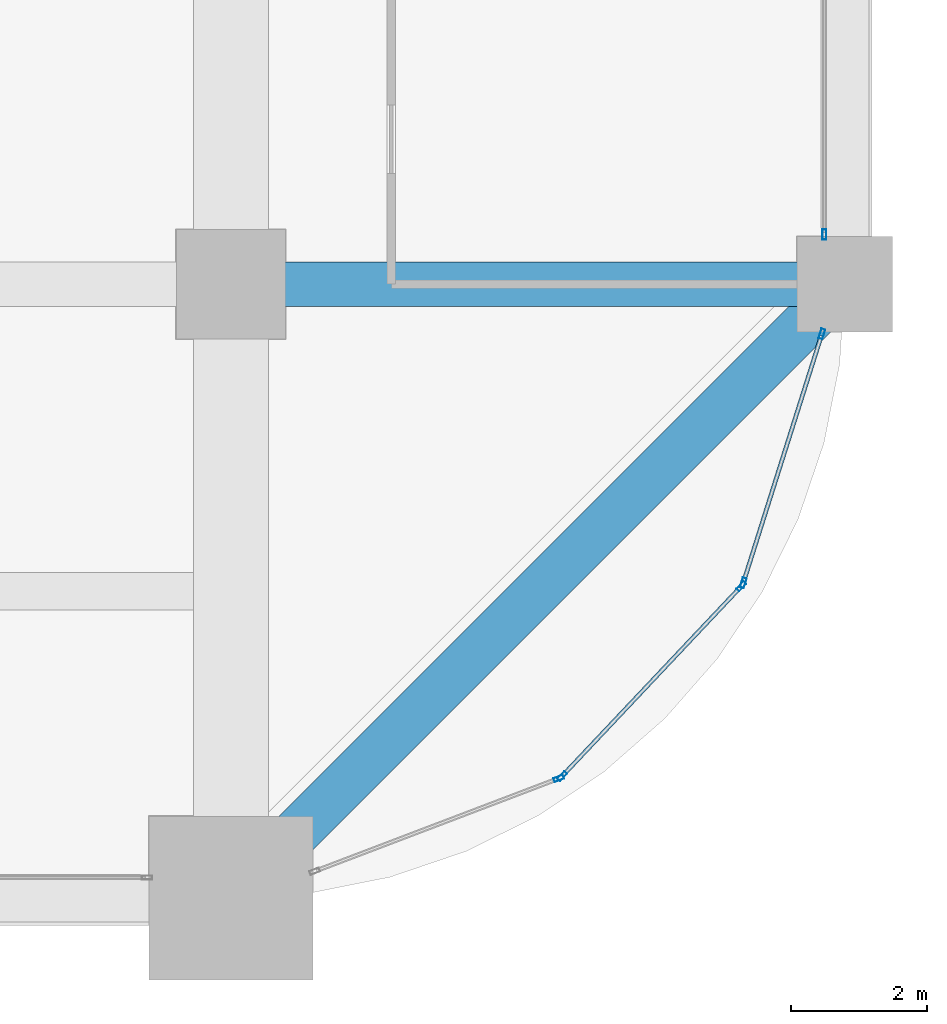
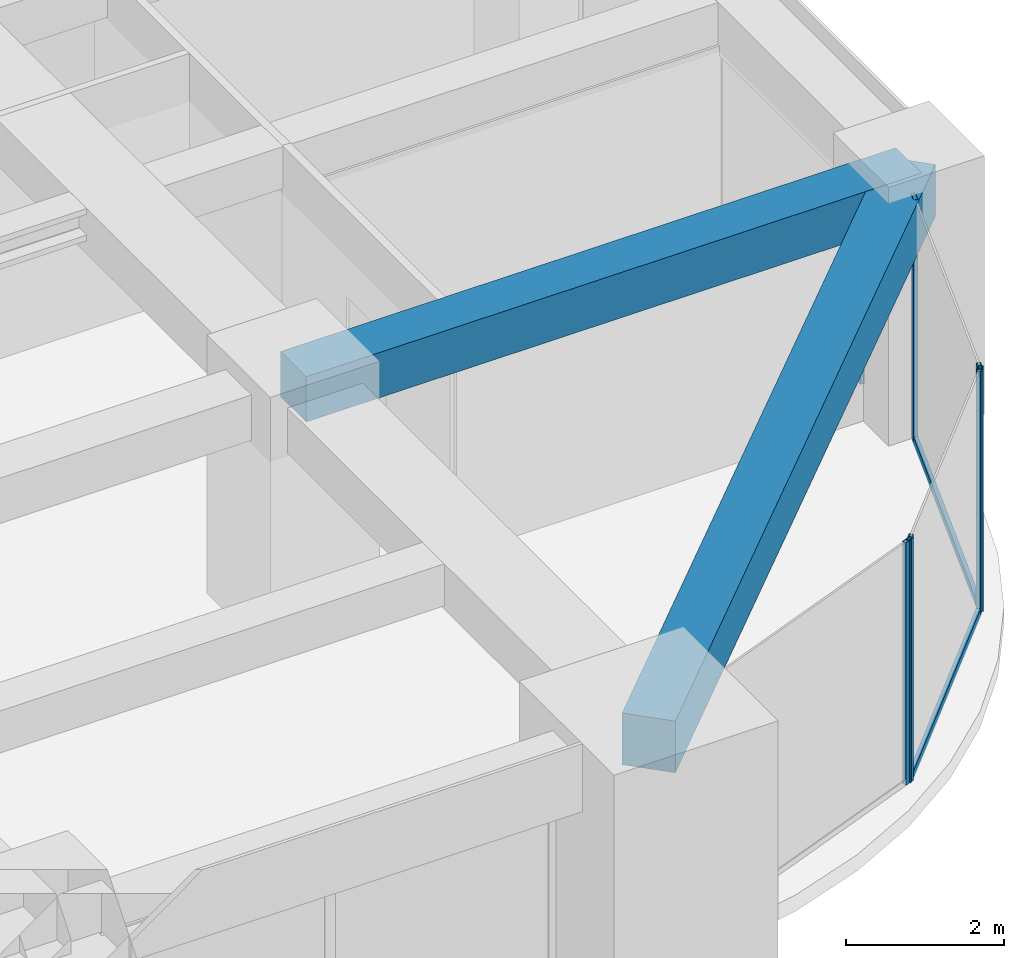
# One storey, part 16 of 32: 8 members, 2 beams, 4 elements without a shape of their own.
"""IFC4 building model written with IfcOpenShell, lengths in metres."""

from ifc_helpers import new_model, si_unit, direction, frame, origin, origin_2d, place, context, subcontext, project, spatial, rectangle, hollow_rectangle, extrude, material, material_profile, profile_set, type_object, element, aggregate, save


model = new_model("IFC4")

# Units and contexts
model_context = context("Model", 3, precision=1e-05, world=origin(), true_north=direction((0.0, 1.0)))
body_context = subcontext(model_context, "Body", "Model", "MODEL_VIEW")
ifc_project = project(units=[si_unit("LENGTHUNIT", "METRE"), si_unit("AREAUNIT", "SQUARE_METRE"), si_unit("VOLUMEUNIT", "CUBIC_METRE"), si_unit("PLANEANGLEUNIT", "RADIAN"), si_unit("MASSUNIT", "GRAM", prefix="KILO")], contexts=[model_context])

# Site, building, storey
site_placement = place(None, origin())
site = spatial("IfcSite", under=ifc_project, at=site_placement, CompositionType="ELEMENT")
building_placement = place(site_placement, origin())
building = spatial("IfcBuilding", under=site, at=building_placement, Name="Zorevar Civic Tower", CompositionType="ELEMENT")
storey_placement = place(building_placement, frame((0.0, 0.0, 186.199951171875)))
storey = spatial("IfcBuildingStorey", under=building, at=storey_placement, Name="L45", CompositionType="ELEMENT", Elevation=186.199951171875)

# Beam
ifc_material_1 = material(Name="Concrete C50/60", Category="concrete")
ifc_material_profile_1 = material_profile(ifc_material_1, rectangle(XDim=0.64990234375, YDim=0.699951171875, at=origin_2d()), Name="RC 650x700")
ifc_profile_set_1 = profile_set([ifc_material_profile_1], Name="Concrete C50/60")
beam_type_1 = type_object("IfcBeamType", Name="Beam RC 650x700", PredefinedType="BEAM", material=ifc_profile_set_1)
beam_1_placement = place(storey_placement, frame((45.0, 9.0, 3.400146484375), z_axis=(1.0, 0.0, 0.0), x_axis=(0.0, 1.0, 0.0)))
element("IfcBeam", 1, at=beam_1_placement, inside=storey, type_object=beam_type_1, Name="Girder L46", PredefinedType="BEAM", context=body_context, shape_type="SweptSolid", body=[
    extrude(rectangle(XDim=0.64990234375, YDim=0.699951171875, at=origin_2d()), origin(), (0.0, 0.0, 1.0), 9.0),
])

# Curtain wall, member
ifc_material_2 = material(Name="Dark grey solar-control glass in black aluminium frame", Category="aluminium")
curtain_wall_type = type_object("IfcCurtainWallType", Name="Curtain wall CW4 high zone", PredefinedType="NOTDEFINED", material=ifc_material_2)
curtain_wall_1_placement = place(storey_placement, origin())
curtain_wall_1 = element("IfcCurtainWall", 2, at=curtain_wall_1_placement, inside=storey, type_object=curtain_wall_type, Name="CW4 L45", PredefinedType="NOTDEFINED")
ifc_material_3 = material(Name="Aluminium, black anodised", Category="aluminium")
ifc_material_profile_2 = material_profile(ifc_material_3, hollow_rectangle(XDim=0.06005859375, YDim=0.14990234375, WallThickness=0.00390625, at=origin_2d()), Name="AL 150x60x4")
ifc_profile_set_2 = profile_set([ifc_material_profile_2], Name="Aluminium, black anodised")
member_type_1 = type_object("IfcMemberType", Name="CW4 mullion AL 150x60x4", PredefinedType="MULLION", material=ifc_profile_set_2)
member_1_placement = place(storey_placement, frame((53.699951171875, 9.72998046875, 0.0), z_axis=(0.0, 0.0, 1.0), x_axis=(-1.0, 0.0, 0.0)))
member_1 = element("IfcMember", 3, at=member_1_placement, type_object=member_type_1, Name="CW4 mullion 1", PredefinedType="MULLION", context=body_context, shape_type="SweptSolid", body=[
    extrude(hollow_rectangle(XDim=0.06005859375, YDim=0.14990234375, WallThickness=0.00390625, at=origin_2d()), origin(), (0.0, 0.0, 1.0), 2.949951171875),
])
aggregate(curtain_wall_1, [member_1])

curtain_wall_2_placement = place(storey_placement, origin())
curtain_wall_2 = element("IfcCurtainWall", 4, at=curtain_wall_2_placement, inside=storey, type_object=curtain_wall_type, Name="CW4 L45", PredefinedType="NOTDEFINED")
member_2_placement = place(storey_placement, frame((49.804931640625, 1.75537109375, 0.0), z_axis=(0.0, 0.0, 1.0), x_axis=(-0.355730895803, 0.93458842801, 0.0)))
member_2 = element("IfcMember", 5, at=member_2_placement, type_object=member_type_1, Name="CW4 mullion 2", PredefinedType="MULLION", context=body_context, shape_type="SweptSolid", body=[
    extrude(hollow_rectangle(XDim=0.06005859375, YDim=0.14990234375, WallThickness=0.00390625, at=origin_2d()), origin(), (0.0, 0.0, 1.0), 3.75),
])
aggregate(curtain_wall_2, [member_2])

# Curtain wall, members
curtain_wall_3_placement = place(storey_placement, origin())
curtain_wall_3 = element("IfcCurtainWall", 6, at=curtain_wall_3_placement, inside=storey, type_object=curtain_wall_type, Name="CW4 L45", PredefinedType="NOTDEFINED")
member_3_placement = place(storey_placement, frame((49.853759765625, 1.787841796875, 0.0), z_axis=(0.0, 0.0, 1.0), x_axis=(-0.727245053898, 0.686377907265, 0.0)))
member_3 = element("IfcMember", 7, at=member_3_placement, type_object=member_type_1, Name="CW4 mullion 1", PredefinedType="MULLION", context=body_context, shape_type="SweptSolid", body=[
    extrude(hollow_rectangle(XDim=0.06005859375, YDim=0.14990234375, WallThickness=0.00390625, at=origin_2d()), origin(), (0.0, 0.0, 1.0), 3.75),
])
member_4_placement = place(storey_placement, frame((52.480712890625, 4.5712890625, 0.0), z_axis=(0.0, 0.0, 1.0), x_axis=(-0.727245053898, 0.686377907265, 0.0)))
member_4 = element("IfcMember", 8, at=member_4_placement, type_object=member_type_1, Name="CW4 mullion 2", PredefinedType="MULLION", context=body_context, shape_type="SweptSolid", body=[
    extrude(hollow_rectangle(XDim=0.06005859375, YDim=0.14990234375, WallThickness=0.00390625, at=origin_2d()), origin(), (0.0, 0.0, 1.0), 3.75),
])

curtain_wall_4_placement = place(storey_placement, origin())
curtain_wall_4 = element("IfcCurtainWall", 9, at=curtain_wall_4_placement, inside=storey, type_object=curtain_wall_type, Name="CW4 L45", PredefinedType="NOTDEFINED")
member_5_placement = place(storey_placement, frame((52.51025390625, 4.62158203125, 0.0), z_axis=(0.0, 0.0, 1.0), x_axis=(-0.953589950678, 0.301108296077, 0.0)))
member_5 = element("IfcMember", 10, at=member_5_placement, type_object=member_type_1, Name="CW4 mullion 1", PredefinedType="MULLION", context=body_context, shape_type="SweptSolid", body=[
    extrude(hollow_rectangle(XDim=0.06005859375, YDim=0.14990234375, WallThickness=0.00390625, at=origin_2d()), origin(), (0.0, 0.0, 1.0), 3.75),
])
member_6_placement = place(storey_placement, frame((53.66259765625, 8.271484375, 0.0), z_axis=(0.0, 0.0, 1.0), x_axis=(-0.953589950678, 0.301108296077, 0.0)))
member_6 = element("IfcMember", 11, at=member_6_placement, type_object=member_type_1, Name="CW4 mullion 2", PredefinedType="MULLION", context=body_context, shape_type="SweptSolid", body=[
    extrude(hollow_rectangle(XDim=0.06005859375, YDim=0.14990234375, WallThickness=0.00390625, at=origin_2d()), origin(), (0.0, 0.0, 1.0), 3.75),
])

# Member
ifc_material_4 = material(Name="Aluminium, black anodised", Category="aluminium")
ifc_material_profile_3 = material_profile(ifc_material_4, hollow_rectangle(XDim=0.06005859375, YDim=0.1201171875, WallThickness=0.0029296875, at=origin_2d()), Name="AL 120x60x3")
ifc_profile_set_3 = profile_set([ifc_material_profile_3], Name="Aluminium, black anodised")
member_type_2 = type_object("IfcMemberType", Name="CW4 transom AL 120x60x3", PredefinedType="USERDEFINED", material=ifc_profile_set_3)
member_7_placement = place(storey_placement, frame((49.874267578125, 1.8095703125, 0.030029296875), z_axis=(0.686332338526, 0.727288059227, 0.0), x_axis=(-0.727288059227, 0.686332338526, 0.0)))
member_7 = element("IfcMember", 12, at=member_7_placement, type_object=member_type_2, Name="CW4 sill transom", ObjectType="TRANSOM", PredefinedType="USERDEFINED", context=body_context, shape_type="SweptSolid", body=[
    extrude(hollow_rectangle(XDim=0.06005859375, YDim=0.1201171875, WallThickness=0.0029296875, at=origin_2d()), origin(), (0.0, 0.0, 1.0), 3.767333984375),
])

aggregate(curtain_wall_3, [member_3, member_4, member_7])

member_8_placement = place(storey_placement, frame((52.519287109375, 4.650390625, 0.030029296875), z_axis=(0.301100351109, 0.953592459367, 0.0), x_axis=(-0.953592459367, 0.301100351109, 0.0)))
member_8 = element("IfcMember", 13, at=member_8_placement, type_object=member_type_2, Name="CW4 sill transom", ObjectType="TRANSOM", PredefinedType="USERDEFINED", context=body_context, shape_type="SweptSolid", body=[
    extrude(hollow_rectangle(XDim=0.06005859375, YDim=0.1201171875, WallThickness=0.0029296875, at=origin_2d()), origin(), (0.0, 0.0, 1.0), 3.76708984375),
])

aggregate(curtain_wall_4, [member_5, member_6, member_8])

# Beam
ifc_material_5 = material(Name="Concrete C50/60", Category="concrete")
ifc_material_profile_4 = material_profile(ifc_material_5, rectangle(XDim=0.699951171875, YDim=0.800048828125, at=origin_2d()), Name="RC 700x800")
ifc_profile_set_4 = profile_set([ifc_material_profile_4], Name="Concrete C50/60")
beam_type_2 = type_object("IfcBeamType", Name="Edge beam RC 700x800", PredefinedType="SPANDREL", material=ifc_profile_set_4)
beam_2_placement = place(storey_placement, frame((45.0, 0.0, 3.35009765625), z_axis=(0.707106781187, 0.707106781187, 0.0), x_axis=(-0.707106781187, 0.707106781187, 0.0)))
element("IfcBeam", 14, at=beam_2_placement, inside=storey, type_object=beam_type_2, Name="Corner edge beam L46", PredefinedType="SPANDREL", context=body_context, shape_type="SweptSolid", body=[
    extrude(rectangle(XDim=0.699951171875, YDim=0.800048828125, at=origin_2d()), origin(), (0.0, 0.0, 1.0), 12.72802734375),
])

save(model, "model.ifc")
